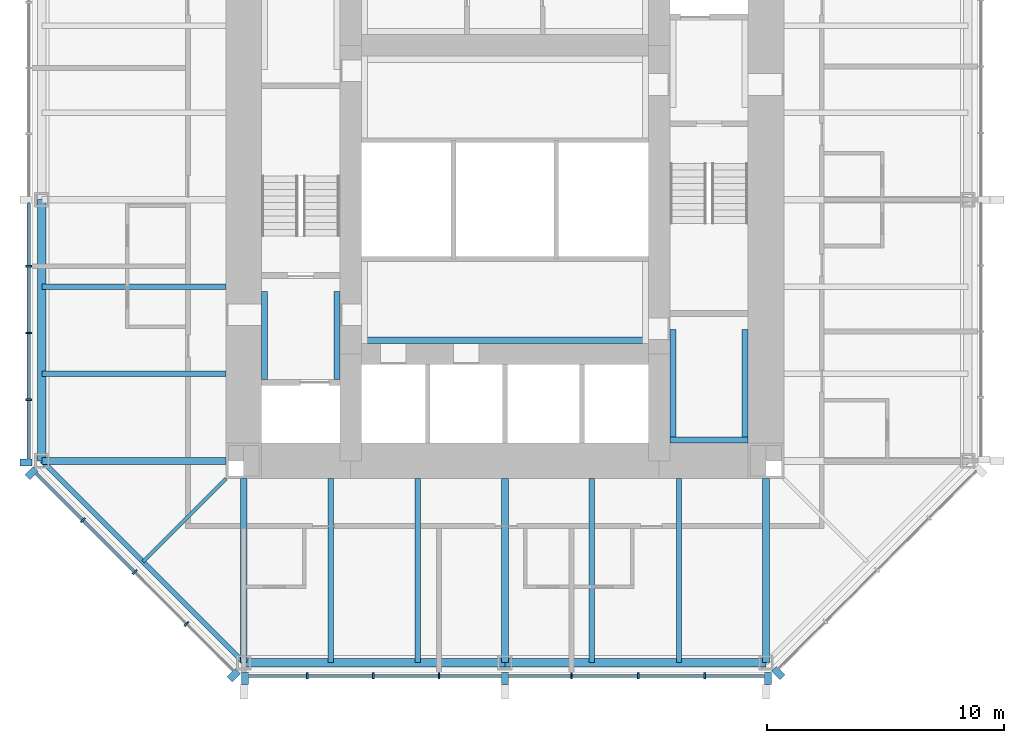
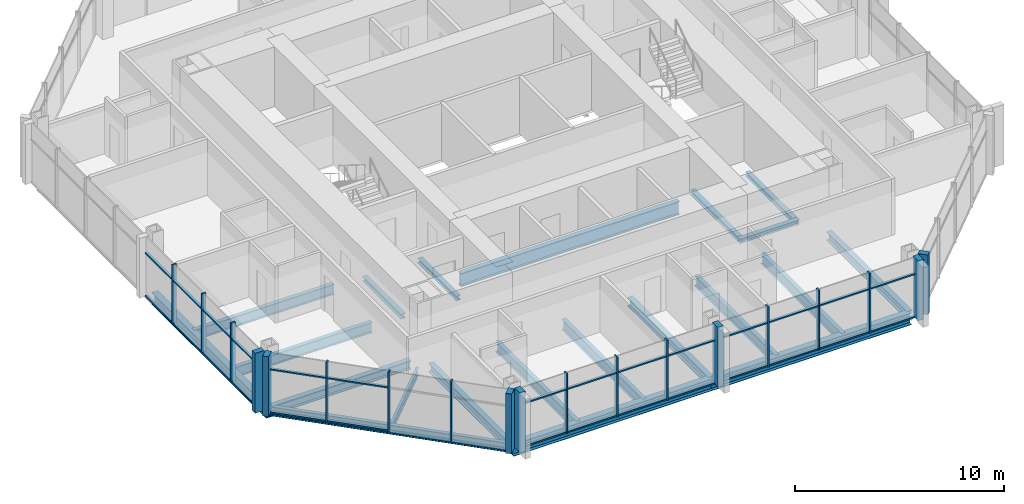
# One storey, part 2 of 11: 47 members, 21 beams, 4 elements without a shape of their own.
"""IFC4 building model written with IfcOpenShell, lengths in metres."""

from ifc_helpers import new_model, si_unit, direction, frame, origin, origin_2d, place, context, subcontext, project, spatial, rectangle, i_section, extrude, material, material_profile, profile_set, type_object, element, aggregate, save


model = new_model("IFC4")

# Units and contexts
model_context = context("Model", 3, precision=1e-05, world=origin(), true_north=direction((0.0, 1.0)))
body_context = subcontext(model_context, "Body", "Model", "MODEL_VIEW")
ifc_project = project(units=[si_unit("LENGTHUNIT", "METRE"), si_unit("AREAUNIT", "SQUARE_METRE"), si_unit("VOLUMEUNIT", "CUBIC_METRE"), si_unit("PLANEANGLEUNIT", "RADIAN"), si_unit("MASSUNIT", "GRAM", prefix="KILO")], contexts=[model_context])

# Site, building, storey
site_placement = place(None, origin())
site = spatial("IfcSite", under=ifc_project, at=site_placement, CompositionType="ELEMENT")
building_placement = place(site_placement, origin())
building = spatial("IfcBuilding", under=site, at=building_placement, Name="Trevanion Tower", CompositionType="ELEMENT")
storey_placement = place(building_placement, frame((0.0, 0.0, 218.699951171875)))
storey = spatial("IfcBuildingStorey", under=building, at=storey_placement, Name="L52", CompositionType="ELEMENT", Elevation=218.699951171875)

# Beams
ifc_material_1 = material(Name="Steel ASTM A992 Grade 50", Category="steel")
ifc_material_profile_1 = material_profile(ifc_material_1, i_section(OverallWidth=0.228271484375, OverallDepth=0.607177734375, WebThickness=0.01123046875, FlangeThickness=0.017333984375, at=origin_2d()), Name="W24X76")
ifc_profile_set_1 = profile_set([ifc_material_profile_1], Name="Steel ASTM A992 Grade 50")
beam_type_1 = type_object("IfcBeamType", Name="B11 W24X76", PredefinedType="BEAM", material=ifc_profile_set_1)
for number, where, z_axis, x_axis, name in (
    (1, (-11.75, -3.666748046875, -0.493408203125), (-1.0, 0.0, 0.0), (0.0, -1.0, 0.0), "B11 L52"),
    (2, (-11.75, -7.333251953125, -0.493408203125), (-1.0, 0.0, 0.0), (0.0, -1.0, 0.0), "B11 L52"),
    (3, (-7.333251953125, -11.75, -0.493408203125), (0.0, -1.0, 0.0), (1.0, 0.0, 0.0), "B11 L52"),
    (4, (-3.666748046875, -11.75, -0.493408203125), (0.0, -1.0, 0.0), (1.0, 0.0, 0.0), "B11 L52"),
    (5, (3.666748046875, -11.75, -0.493408203125), (0.0, -1.0, 0.0), (1.0, 0.0, 0.0), "B11 L52"),
    (6, (7.333251953125, -11.75, -0.493408203125), (0.0, -1.0, 0.0), (1.0, 0.0, 0.0), "B11 L52"),
):
    element("IfcBeam", number, at=place(storey_placement, frame(where, z_axis=z_axis, x_axis=x_axis)), inside=storey, type_object=beam_type_1, Name=name, PredefinedType="BEAM", context=body_context, shape_type="SweptSolid", body=[
        extrude(i_section(OverallWidth=0.228271484375, OverallDepth=0.607177734375, WebThickness=0.01123046875, FlangeThickness=0.017333984375, at=origin_2d()), origin(), (0.0, 0.0, 1.0), 7.75),
    ])
ifc_material_2 = material(Name="Steel ASTM A992 Grade 50", Category="steel")
ifc_material_profile_2 = material_profile(ifc_material_2, i_section(OverallWidth=0.15234375, OverallDepth=0.449462890625, WebThickness=0.007568359375, FlangeThickness=0.0107421875, at=origin_2d()), Name="W18X35")
ifc_profile_set_2 = profile_set([ifc_material_profile_2], Name="Steel ASTM A992 Grade 50")
beam_type_2 = type_object("IfcBeamType", Name="B12 W18X35", PredefinedType="BEAM", material=ifc_profile_set_2)
beam_1_placement = place(storey_placement, frame((-11.75, -11.75, -0.414794921875), z_axis=(-0.707106781187, -0.707106781187, 0.0), x_axis=(0.707106781187, -0.707106781187, 0.0)))
element("IfcBeam", 7, at=beam_1_placement, inside=storey, type_object=beam_type_2, Name="B12 L52", PredefinedType="BEAM", context=body_context, shape_type="SweptSolid", body=[
    extrude(i_section(OverallWidth=0.15234375, OverallDepth=0.449462890625, WebThickness=0.007568359375, FlangeThickness=0.0107421875, at=origin_2d()), origin(), (0.0, 0.0, 1.0), 4.94970703125),
])

# Curtain wall, members
ifc_material_3 = material(Name="Aluminium and glass", Category="aluminium")
curtain_wall_type = type_object("IfcCurtainWallType", Name="CW3 curtain wall", PredefinedType="USERDEFINED", material=ifc_material_3)
curtain_wall_1_placement = place(storey_placement, origin())
curtain_wall_1 = element("IfcCurtainWall", 8, at=curtain_wall_1_placement, inside=storey, type_object=curtain_wall_type, Name="CW3 L52 4", ObjectType="UNITISED CURTAIN WALL", PredefinedType="USERDEFINED")
ifc_material_4 = material(Name="Aluminium extrusion, anodised bronze", Category="aluminium")
ifc_material_profile_3 = material_profile(ifc_material_4, rectangle(XDim=0.074951171875, YDim=0.25, at=origin_2d()), Name="CW3 mullion")
ifc_profile_set_3 = profile_set([ifc_material_profile_3], Name="Aluminium extrusion, anodised bronze")
member_type_1 = type_object("IfcMemberType", Name="CW3 mullion", PredefinedType="MULLION", material=ifc_profile_set_3)
member_1_placement = place(storey_placement, frame((-20.050048828125, -2.806884765625, -0.18994140625), z_axis=(0.0, 0.0, 1.0), x_axis=(0.0, -1.0, 0.0)))
member_1 = element("IfcMember", 9, at=member_1_placement, type_object=member_type_1, Name="CW3 mullion 6", PredefinedType="MULLION", context=body_context, shape_type="SweptSolid", body=[
    extrude(rectangle(XDim=0.074951171875, YDim=0.25, at=origin_2d()), origin(), (0.0, 0.0, 1.0), 3.5),
])
member_2_placement = place(storey_placement, frame((-20.050048828125, -5.614013671875, -0.18994140625), z_axis=(0.0, 0.0, 1.0), x_axis=(0.0, -1.0, 0.0)))
member_2 = element("IfcMember", 10, at=member_2_placement, type_object=member_type_1, Name="CW3 mullion 7", PredefinedType="MULLION", context=body_context, shape_type="SweptSolid", body=[
    extrude(rectangle(XDim=0.074951171875, YDim=0.25, at=origin_2d()), origin(), (0.0, 0.0, 1.0), 3.5),
])
member_3_placement = place(storey_placement, frame((-20.050048828125, -8.4208984375, -0.18994140625), z_axis=(0.0, 0.0, 1.0), x_axis=(0.0, -1.0, 0.0)))
member_3 = element("IfcMember", 11, at=member_3_placement, type_object=member_type_1, Name="CW3 mullion 8", PredefinedType="MULLION", context=body_context, shape_type="SweptSolid", body=[
    extrude(rectangle(XDim=0.074951171875, YDim=0.25, at=origin_2d()), origin(), (0.0, 0.0, 1.0), 3.5),
])

curtain_wall_2_placement = place(storey_placement, origin())
curtain_wall_2 = element("IfcCurtainWall", 12, at=curtain_wall_2_placement, inside=storey, type_object=curtain_wall_type, Name="CW3 L52 5", ObjectType="UNITISED CURTAIN WALL", PredefinedType="USERDEFINED")
member_4_placement = place(storey_placement, frame((-17.775390625, -13.502197265625, -0.18994140625), z_axis=(0.0, 0.0, 1.0), x_axis=(0.707106781187, -0.707106781187, 0.0)))
member_4 = element("IfcMember", 13, at=member_4_placement, type_object=member_type_1, Name="CW3 mullion 2", PredefinedType="MULLION", context=body_context, shape_type="SweptSolid", body=[
    extrude(rectangle(XDim=0.074951171875, YDim=0.25, at=origin_2d()), origin(), (0.0, 0.0, 1.0), 3.5),
])
member_5_placement = place(storey_placement, frame((-15.593017578125, -15.684814453125, -0.18994140625), z_axis=(0.0, 0.0, 1.0), x_axis=(0.707106781187, -0.707106781187, 0.0)))
member_5 = element("IfcMember", 14, at=member_5_placement, type_object=member_type_1, Name="CW3 mullion 3", PredefinedType="MULLION", context=body_context, shape_type="SweptSolid", body=[
    extrude(rectangle(XDim=0.074951171875, YDim=0.25, at=origin_2d()), origin(), (0.0, 0.0, 1.0), 3.5),
])
member_6_placement = place(storey_placement, frame((-13.410400390625, -17.867431640625, -0.18994140625), z_axis=(0.0, 0.0, 1.0), x_axis=(0.707106781187, -0.707106781187, 0.0)))
member_6 = element("IfcMember", 15, at=member_6_placement, type_object=member_type_1, Name="CW3 mullion 4", PredefinedType="MULLION", context=body_context, shape_type="SweptSolid", body=[
    extrude(rectangle(XDim=0.074951171875, YDim=0.25, at=origin_2d()), origin(), (0.0, 0.0, 1.0), 3.5),
])

curtain_wall_3_placement = place(storey_placement, origin())
curtain_wall_3 = element("IfcCurtainWall", 16, at=curtain_wall_3_placement, inside=storey, type_object=curtain_wall_type, Name="CW3 L52 6", ObjectType="UNITISED CURTAIN WALL", PredefinedType="USERDEFINED")
member_7_placement = place(storey_placement, frame((-8.323486328125, -20.050048828125, -0.18994140625), z_axis=(0.0, 0.0, 1.0), x_axis=(1.0, 0.0, 0.0)))
member_7 = element("IfcMember", 17, at=member_7_placement, type_object=member_type_1, Name="CW3 mullion 2", PredefinedType="MULLION", context=body_context, shape_type="SweptSolid", body=[
    extrude(rectangle(XDim=0.074951171875, YDim=0.25, at=origin_2d()), origin(), (0.0, 0.0, 1.0), 3.5),
])
member_8_placement = place(storey_placement, frame((-5.548828125, -20.050048828125, -0.18994140625), z_axis=(0.0, 0.0, 1.0), x_axis=(1.0, 0.0, 0.0)))
member_8 = element("IfcMember", 18, at=member_8_placement, type_object=member_type_1, Name="CW3 mullion 3", PredefinedType="MULLION", context=body_context, shape_type="SweptSolid", body=[
    extrude(rectangle(XDim=0.074951171875, YDim=0.25, at=origin_2d()), origin(), (0.0, 0.0, 1.0), 3.5),
])
member_9_placement = place(storey_placement, frame((-2.7744140625, -20.050048828125, -0.18994140625), z_axis=(0.0, 0.0, 1.0), x_axis=(1.0, 0.0, 0.0)))
member_9 = element("IfcMember", 19, at=member_9_placement, type_object=member_type_1, Name="CW3 mullion 4", PredefinedType="MULLION", context=body_context, shape_type="SweptSolid", body=[
    extrude(rectangle(XDim=0.074951171875, YDim=0.25, at=origin_2d()), origin(), (0.0, 0.0, 1.0), 3.5),
])
member_10_placement = place(storey_placement, frame((2.806884765625, -20.050048828125, -0.18994140625), z_axis=(0.0, 0.0, 1.0), x_axis=(1.0, 0.0, 0.0)))
member_10 = element("IfcMember", 20, at=member_10_placement, type_object=member_type_1, Name="CW3 mullion 6", PredefinedType="MULLION", context=body_context, shape_type="SweptSolid", body=[
    extrude(rectangle(XDim=0.074951171875, YDim=0.25, at=origin_2d()), origin(), (0.0, 0.0, 1.0), 3.5),
])
member_11_placement = place(storey_placement, frame((5.614013671875, -20.050048828125, -0.18994140625), z_axis=(0.0, 0.0, 1.0), x_axis=(1.0, 0.0, 0.0)))
member_11 = element("IfcMember", 21, at=member_11_placement, type_object=member_type_1, Name="CW3 mullion 7", PredefinedType="MULLION", context=body_context, shape_type="SweptSolid", body=[
    extrude(rectangle(XDim=0.074951171875, YDim=0.25, at=origin_2d()), origin(), (0.0, 0.0, 1.0), 3.5),
])
member_12_placement = place(storey_placement, frame((8.4208984375, -20.050048828125, -0.18994140625), z_axis=(0.0, 0.0, 1.0), x_axis=(1.0, 0.0, 0.0)))
member_12 = element("IfcMember", 22, at=member_12_placement, type_object=member_type_1, Name="CW3 mullion 8", PredefinedType="MULLION", context=body_context, shape_type="SweptSolid", body=[
    extrude(rectangle(XDim=0.074951171875, YDim=0.25, at=origin_2d()), origin(), (0.0, 0.0, 1.0), 3.5),
])

# Member
ifc_material_5 = material(Name="Aluminium extrusion, anodised bronze", Category="aluminium")
ifc_material_profile_4 = material_profile(ifc_material_5, rectangle(XDim=0.300048828125, YDim=0.5, at=origin_2d()), Name="CW3 pier mullion")
ifc_profile_set_4 = profile_set([ifc_material_profile_4], Name="Aluminium extrusion, anodised bronze")
member_type_2 = type_object("IfcMemberType", Name="CW3 pier mullion", PredefinedType="MULLION", material=ifc_profile_set_4)
member_13_placement = place(storey_placement, frame((-20.175048828125, -11.077880859375, -0.18994140625), z_axis=(0.0, 0.0, 1.0), x_axis=(0.0, -1.0, 0.0)))
member_13 = element("IfcMember", 23, at=member_13_placement, type_object=member_type_2, Name="CW3 pier mullion 9", PredefinedType="MULLION", context=body_context, shape_type="SweptSolid", body=[
    extrude(rectangle(XDim=0.300048828125, YDim=0.5, at=origin_2d()), origin(), (0.0, 0.0, 1.0), 3.5),
])

member_14_placement = place(storey_placement, frame((-19.9404296875, -11.51416015625, -0.18994140625), z_axis=(0.0, 0.0, 1.0), x_axis=(0.707106781187, -0.707106781187, 0.0)))
member_14 = element("IfcMember", 24, at=member_14_placement, type_object=member_type_2, Name="CW3 pier mullion 1", PredefinedType="MULLION", context=body_context, shape_type="SweptSolid", body=[
    extrude(rectangle(XDim=0.300048828125, YDim=0.5, at=origin_2d()), origin(), (0.0, 0.0, 1.0), 3.5),
])

member_15_placement = place(storey_placement, frame((-11.42236328125, -20.0322265625, -0.18994140625), z_axis=(0.0, 0.0, 1.0), x_axis=(0.707106781187, -0.707106781187, 0.0)))
member_15 = element("IfcMember", 25, at=member_15_placement, type_object=member_type_2, Name="CW3 pier mullion 5", PredefinedType="MULLION", context=body_context, shape_type="SweptSolid", body=[
    extrude(rectangle(XDim=0.300048828125, YDim=0.5, at=origin_2d()), origin(), (0.0, 0.0, 1.0), 3.5),
])

member_16_placement = place(storey_placement, frame((-10.94775390625, -20.175048828125, -0.18994140625), z_axis=(0.0, 0.0, 1.0), x_axis=(1.0, 0.0, 0.0)))
member_16 = element("IfcMember", 26, at=member_16_placement, type_object=member_type_2, Name="CW3 pier mullion 1", PredefinedType="MULLION", context=body_context, shape_type="SweptSolid", body=[
    extrude(rectangle(XDim=0.300048828125, YDim=0.5, at=origin_2d()), origin(), (0.0, 0.0, 1.0), 3.5),
])

member_17_placement = place(storey_placement, frame((0.0, -20.175048828125, -0.18994140625), z_axis=(0.0, 0.0, 1.0), x_axis=(1.0, 0.0, 0.0)))
member_17 = element("IfcMember", 27, at=member_17_placement, type_object=member_type_2, Name="CW3 pier mullion 5", PredefinedType="MULLION", context=body_context, shape_type="SweptSolid", body=[
    extrude(rectangle(XDim=0.300048828125, YDim=0.5, at=origin_2d()), origin(), (0.0, 0.0, 1.0), 3.5),
])

member_18_placement = place(storey_placement, frame((11.077880859375, -20.175048828125, -0.18994140625), z_axis=(0.0, 0.0, 1.0), x_axis=(1.0, 0.0, 0.0)))
member_18 = element("IfcMember", 28, at=member_18_placement, type_object=member_type_2, Name="CW3 pier mullion 9", PredefinedType="MULLION", context=body_context, shape_type="SweptSolid", body=[
    extrude(rectangle(XDim=0.300048828125, YDim=0.5, at=origin_2d()), origin(), (0.0, 0.0, 1.0), 3.5),
])

# Curtain wall, member
curtain_wall_4_placement = place(storey_placement, origin())
curtain_wall_4 = element("IfcCurtainWall", 29, at=curtain_wall_4_placement, inside=storey, type_object=curtain_wall_type, Name="CW3 L52 7", ObjectType="UNITISED CURTAIN WALL", PredefinedType="USERDEFINED")
member_19_placement = place(storey_placement, frame((11.51416015625, -19.9404296875, -0.18994140625), z_axis=(0.0, 0.0, 1.0), x_axis=(0.707106781187, 0.707106781187, 0.0)))
member_19 = element("IfcMember", 30, at=member_19_placement, type_object=member_type_2, Name="CW3 pier mullion 1", PredefinedType="MULLION", context=body_context, shape_type="SweptSolid", body=[
    extrude(rectangle(XDim=0.300048828125, YDim=0.5, at=origin_2d()), origin(), (0.0, 0.0, 1.0), 3.5),
])
aggregate(curtain_wall_4, [member_19])

# Member
ifc_material_6 = material(Name="Aluminium extrusion, anodised bronze", Category="aluminium")
ifc_material_profile_5 = material_profile(ifc_material_6, rectangle(XDim=0.14990234375, YDim=0.074951171875, at=origin_2d()), Name="CW3 transom")
ifc_profile_set_5 = profile_set([ifc_material_profile_5], Name="Aluminium extrusion, anodised bronze")
member_type_3 = type_object("IfcMemberType", Name="CW3 transom", PredefinedType="USERDEFINED", material=ifc_profile_set_5)
member_20_placement = place(storey_placement, frame((-20.050048828125, -0.14990234375, -0.15234375), z_axis=(0.0, -1.0, 0.0), x_axis=(1.0, 0.0, 0.0)))
member_20 = element("IfcMember", 31, at=member_20_placement, type_object=member_type_3, Name="CW3 transom 5.1", ObjectType="TRANSOM", PredefinedType="USERDEFINED", context=body_context, shape_type="SweptSolid", body=[
    extrude(rectangle(XDim=0.14990234375, YDim=0.074951171875, at=origin_2d()), origin(), (0.0, 0.0, 1.0), 2.619384765625),
])

member_21_placement = place(storey_placement, frame((-20.050048828125, -0.14990234375, 2.360107421875), z_axis=(0.0, -1.0, 0.0), x_axis=(1.0, 0.0, 0.0)))
member_21 = element("IfcMember", 32, at=member_21_placement, type_object=member_type_3, Name="CW3 transom 5.2", ObjectType="TRANSOM", PredefinedType="USERDEFINED", context=body_context, shape_type="SweptSolid", body=[
    extrude(rectangle(XDim=0.14990234375, YDim=0.074951171875, at=origin_2d()), origin(), (0.0, 0.0, 1.0), 2.619384765625),
])

member_22_placement = place(storey_placement, frame((-20.050048828125, -2.844482421875, -0.15234375), z_axis=(0.0, -1.0, 0.0), x_axis=(1.0, 0.0, 0.0)))
member_22 = element("IfcMember", 33, at=member_22_placement, type_object=member_type_3, Name="CW3 transom 6.1", ObjectType="TRANSOM", PredefinedType="USERDEFINED", context=body_context, shape_type="SweptSolid", body=[
    extrude(rectangle(XDim=0.14990234375, YDim=0.074951171875, at=origin_2d()), origin(), (0.0, 0.0, 1.0), 2.73193359375),
])

member_23_placement = place(storey_placement, frame((-20.050048828125, -2.844482421875, 2.360107421875), z_axis=(0.0, -1.0, 0.0), x_axis=(1.0, 0.0, 0.0)))
member_23 = element("IfcMember", 34, at=member_23_placement, type_object=member_type_3, Name="CW3 transom 6.2", ObjectType="TRANSOM", PredefinedType="USERDEFINED", context=body_context, shape_type="SweptSolid", body=[
    extrude(rectangle(XDim=0.14990234375, YDim=0.074951171875, at=origin_2d()), origin(), (0.0, 0.0, 1.0), 2.73193359375),
])

member_24_placement = place(storey_placement, frame((-20.050048828125, -5.6513671875, -0.15234375), z_axis=(0.0, -1.0, 0.0), x_axis=(1.0, 0.0, 0.0)))
member_24 = element("IfcMember", 35, at=member_24_placement, type_object=member_type_3, Name="CW3 transom 7.1", ObjectType="TRANSOM", PredefinedType="USERDEFINED", context=body_context, shape_type="SweptSolid", body=[
    extrude(rectangle(XDim=0.14990234375, YDim=0.074951171875, at=origin_2d()), origin(), (0.0, 0.0, 1.0), 2.73193359375),
])

member_25_placement = place(storey_placement, frame((-20.050048828125, -5.6513671875, 2.360107421875), z_axis=(0.0, -1.0, 0.0), x_axis=(1.0, 0.0, 0.0)))
member_25 = element("IfcMember", 36, at=member_25_placement, type_object=member_type_3, Name="CW3 transom 7.2", ObjectType="TRANSOM", PredefinedType="USERDEFINED", context=body_context, shape_type="SweptSolid", body=[
    extrude(rectangle(XDim=0.14990234375, YDim=0.074951171875, at=origin_2d()), origin(), (0.0, 0.0, 1.0), 2.73193359375),
])

member_26_placement = place(storey_placement, frame((-20.050048828125, -8.45849609375, -0.15234375), z_axis=(0.0, -1.0, 0.0), x_axis=(1.0, 0.0, 0.0)))
member_26 = element("IfcMember", 37, at=member_26_placement, type_object=member_type_3, Name="CW3 transom 8.1", ObjectType="TRANSOM", PredefinedType="USERDEFINED", context=body_context, shape_type="SweptSolid", body=[
    extrude(rectangle(XDim=0.14990234375, YDim=0.074951171875, at=origin_2d()), origin(), (0.0, 0.0, 1.0), 2.46923828125),
])

member_27_placement = place(storey_placement, frame((-20.050048828125, -8.45849609375, 2.360107421875), z_axis=(0.0, -1.0, 0.0), x_axis=(1.0, 0.0, 0.0)))
member_27 = element("IfcMember", 38, at=member_27_placement, type_object=member_type_3, Name="CW3 transom 8.2", ObjectType="TRANSOM", PredefinedType="USERDEFINED", context=body_context, shape_type="SweptSolid", body=[
    extrude(rectangle(XDim=0.14990234375, YDim=0.074951171875, at=origin_2d()), origin(), (0.0, 0.0, 1.0), 2.46923828125),
])

aggregate(curtain_wall_1, [member_1, member_2, member_3, member_13, member_20, member_21, member_22, member_23, member_24, member_25, member_26, member_27])

member_28_placement = place(storey_placement, frame((-19.745849609375, -11.531982421875, -0.15234375), z_axis=(0.707106781187, -0.707106781187, 0.0), x_axis=(0.707106781187, 0.707106781187, 0.0)))
member_28 = element("IfcMember", 39, at=member_28_placement, type_object=member_type_3, Name="CW3 transom 1.1", ObjectType="TRANSOM", PredefinedType="USERDEFINED", context=body_context, shape_type="SweptSolid", body=[
    extrude(rectangle(XDim=0.14990234375, YDim=0.074951171875, at=origin_2d()), origin(), (0.0, 0.0, 1.0), 2.7490234375),
])

member_29_placement = place(storey_placement, frame((-19.745849609375, -11.531982421875, 2.360107421875), z_axis=(0.707106781187, -0.707106781187, 0.0), x_axis=(0.707106781187, 0.707106781187, 0.0)))
member_29 = element("IfcMember", 40, at=member_29_placement, type_object=member_type_3, Name="CW3 transom 1.2", ObjectType="TRANSOM", PredefinedType="USERDEFINED", context=body_context, shape_type="SweptSolid", body=[
    extrude(rectangle(XDim=0.14990234375, YDim=0.074951171875, at=origin_2d()), origin(), (0.0, 0.0, 1.0), 2.7490234375),
])

member_30_placement = place(storey_placement, frame((-17.7490234375, -13.52880859375, -0.15234375), z_axis=(0.707106781187, -0.707106781187, 0.0), x_axis=(0.707106781187, 0.707106781187, 0.0)))
member_30 = element("IfcMember", 41, at=member_30_placement, type_object=member_type_3, Name="CW3 transom 2.1", ObjectType="TRANSOM", PredefinedType="USERDEFINED", context=body_context, shape_type="SweptSolid", body=[
    extrude(rectangle(XDim=0.14990234375, YDim=0.074951171875, at=origin_2d()), origin(), (0.0, 0.0, 1.0), 3.01171875),
])

member_31_placement = place(storey_placement, frame((-17.7490234375, -13.52880859375, 2.360107421875), z_axis=(0.707106781187, -0.707106781187, 0.0), x_axis=(0.707106781187, 0.707106781187, 0.0)))
member_31 = element("IfcMember", 42, at=member_31_placement, type_object=member_type_3, Name="CW3 transom 2.2", ObjectType="TRANSOM", PredefinedType="USERDEFINED", context=body_context, shape_type="SweptSolid", body=[
    extrude(rectangle(XDim=0.14990234375, YDim=0.074951171875, at=origin_2d()), origin(), (0.0, 0.0, 1.0), 3.01171875),
])

aggregate(curtain_wall_2, [member_14, member_4, member_5, member_6, member_15, member_28, member_29, member_30, member_31])

member_32_placement = place(storey_placement, frame((-10.7978515625, -20.050048828125, -0.15234375), z_axis=(1.0, 0.0, 0.0), x_axis=(0.0, 1.0, 0.0)))
member_32 = element("IfcMember", 43, at=member_32_placement, type_object=member_type_3, Name="CW3 transom 1.1", ObjectType="TRANSOM", PredefinedType="USERDEFINED", context=body_context, shape_type="SweptSolid", body=[
    extrude(rectangle(XDim=0.14990234375, YDim=0.074951171875, at=origin_2d()), origin(), (0.0, 0.0, 1.0), 2.43701171875),
])

member_33_placement = place(storey_placement, frame((-10.7978515625, -20.050048828125, 2.360107421875), z_axis=(1.0, 0.0, 0.0), x_axis=(0.0, 1.0, 0.0)))
member_33 = element("IfcMember", 44, at=member_33_placement, type_object=member_type_3, Name="CW3 transom 1.2", ObjectType="TRANSOM", PredefinedType="USERDEFINED", context=body_context, shape_type="SweptSolid", body=[
    extrude(rectangle(XDim=0.14990234375, YDim=0.074951171875, at=origin_2d()), origin(), (0.0, 0.0, 1.0), 2.43701171875),
])

member_34_placement = place(storey_placement, frame((-8.285888671875, -20.050048828125, -0.15234375), z_axis=(1.0, 0.0, 0.0), x_axis=(0.0, 1.0, 0.0)))
member_34 = element("IfcMember", 45, at=member_34_placement, type_object=member_type_3, Name="CW3 transom 2.1", ObjectType="TRANSOM", PredefinedType="USERDEFINED", context=body_context, shape_type="SweptSolid", body=[
    extrude(rectangle(XDim=0.14990234375, YDim=0.074951171875, at=origin_2d()), origin(), (0.0, 0.0, 1.0), 2.699462890625),
])

member_35_placement = place(storey_placement, frame((-8.285888671875, -20.050048828125, 2.360107421875), z_axis=(1.0, 0.0, 0.0), x_axis=(0.0, 1.0, 0.0)))
member_35 = element("IfcMember", 46, at=member_35_placement, type_object=member_type_3, Name="CW3 transom 2.2", ObjectType="TRANSOM", PredefinedType="USERDEFINED", context=body_context, shape_type="SweptSolid", body=[
    extrude(rectangle(XDim=0.14990234375, YDim=0.074951171875, at=origin_2d()), origin(), (0.0, 0.0, 1.0), 2.699462890625),
])

member_36_placement = place(storey_placement, frame((-5.511474609375, -20.050048828125, -0.15234375), z_axis=(1.0, 0.0, 0.0), x_axis=(0.0, 1.0, 0.0)))
member_36 = element("IfcMember", 47, at=member_36_placement, type_object=member_type_3, Name="CW3 transom 3.1", ObjectType="TRANSOM", PredefinedType="USERDEFINED", context=body_context, shape_type="SweptSolid", body=[
    extrude(rectangle(XDim=0.14990234375, YDim=0.074951171875, at=origin_2d()), origin(), (0.0, 0.0, 1.0), 2.699462890625),
])

member_37_placement = place(storey_placement, frame((-5.511474609375, -20.050048828125, 2.360107421875), z_axis=(1.0, 0.0, 0.0), x_axis=(0.0, 1.0, 0.0)))
member_37 = element("IfcMember", 48, at=member_37_placement, type_object=member_type_3, Name="CW3 transom 3.2", ObjectType="TRANSOM", PredefinedType="USERDEFINED", context=body_context, shape_type="SweptSolid", body=[
    extrude(rectangle(XDim=0.14990234375, YDim=0.074951171875, at=origin_2d()), origin(), (0.0, 0.0, 1.0), 2.699462890625),
])

member_38_placement = place(storey_placement, frame((-2.737060546875, -20.050048828125, -0.15234375), z_axis=(1.0, 0.0, 0.0), x_axis=(0.0, 1.0, 0.0)))
member_38 = element("IfcMember", 49, at=member_38_placement, type_object=member_type_3, Name="CW3 transom 4.1", ObjectType="TRANSOM", PredefinedType="USERDEFINED", context=body_context, shape_type="SweptSolid", body=[
    extrude(rectangle(XDim=0.14990234375, YDim=0.074951171875, at=origin_2d()), origin(), (0.0, 0.0, 1.0), 2.587158203125),
])

member_39_placement = place(storey_placement, frame((-2.737060546875, -20.050048828125, 2.360107421875), z_axis=(1.0, 0.0, 0.0), x_axis=(0.0, 1.0, 0.0)))
member_39 = element("IfcMember", 50, at=member_39_placement, type_object=member_type_3, Name="CW3 transom 4.2", ObjectType="TRANSOM", PredefinedType="USERDEFINED", context=body_context, shape_type="SweptSolid", body=[
    extrude(rectangle(XDim=0.14990234375, YDim=0.074951171875, at=origin_2d()), origin(), (0.0, 0.0, 1.0), 2.587158203125),
])

member_40_placement = place(storey_placement, frame((0.14990234375, -20.050048828125, -0.15234375), z_axis=(1.0, 0.0, 0.0), x_axis=(0.0, 1.0, 0.0)))
member_40 = element("IfcMember", 51, at=member_40_placement, type_object=member_type_3, Name="CW3 transom 5.1", ObjectType="TRANSOM", PredefinedType="USERDEFINED", context=body_context, shape_type="SweptSolid", body=[
    extrude(rectangle(XDim=0.14990234375, YDim=0.074951171875, at=origin_2d()), origin(), (0.0, 0.0, 1.0), 2.619384765625),
])

member_41_placement = place(storey_placement, frame((0.14990234375, -20.050048828125, 2.360107421875), z_axis=(1.0, 0.0, 0.0), x_axis=(0.0, 1.0, 0.0)))
member_41 = element("IfcMember", 52, at=member_41_placement, type_object=member_type_3, Name="CW3 transom 5.2", ObjectType="TRANSOM", PredefinedType="USERDEFINED", context=body_context, shape_type="SweptSolid", body=[
    extrude(rectangle(XDim=0.14990234375, YDim=0.074951171875, at=origin_2d()), origin(), (0.0, 0.0, 1.0), 2.619384765625),
])

member_42_placement = place(storey_placement, frame((2.844482421875, -20.050048828125, -0.15234375), z_axis=(1.0, 0.0, 0.0), x_axis=(0.0, 1.0, 0.0)))
member_42 = element("IfcMember", 53, at=member_42_placement, type_object=member_type_3, Name="CW3 transom 6.1", ObjectType="TRANSOM", PredefinedType="USERDEFINED", context=body_context, shape_type="SweptSolid", body=[
    extrude(rectangle(XDim=0.14990234375, YDim=0.074951171875, at=origin_2d()), origin(), (0.0, 0.0, 1.0), 2.73193359375),
])

member_43_placement = place(storey_placement, frame((2.844482421875, -20.050048828125, 2.360107421875), z_axis=(1.0, 0.0, 0.0), x_axis=(0.0, 1.0, 0.0)))
member_43 = element("IfcMember", 54, at=member_43_placement, type_object=member_type_3, Name="CW3 transom 6.2", ObjectType="TRANSOM", PredefinedType="USERDEFINED", context=body_context, shape_type="SweptSolid", body=[
    extrude(rectangle(XDim=0.14990234375, YDim=0.074951171875, at=origin_2d()), origin(), (0.0, 0.0, 1.0), 2.73193359375),
])

member_44_placement = place(storey_placement, frame((5.6513671875, -20.050048828125, -0.15234375), z_axis=(1.0, 0.0, 0.0), x_axis=(0.0, 1.0, 0.0)))
member_44 = element("IfcMember", 55, at=member_44_placement, type_object=member_type_3, Name="CW3 transom 7.1", ObjectType="TRANSOM", PredefinedType="USERDEFINED", context=body_context, shape_type="SweptSolid", body=[
    extrude(rectangle(XDim=0.14990234375, YDim=0.074951171875, at=origin_2d()), origin(), (0.0, 0.0, 1.0), 2.73193359375),
])

member_45_placement = place(storey_placement, frame((5.6513671875, -20.050048828125, 2.360107421875), z_axis=(1.0, 0.0, 0.0), x_axis=(0.0, 1.0, 0.0)))
member_45 = element("IfcMember", 56, at=member_45_placement, type_object=member_type_3, Name="CW3 transom 7.2", ObjectType="TRANSOM", PredefinedType="USERDEFINED", context=body_context, shape_type="SweptSolid", body=[
    extrude(rectangle(XDim=0.14990234375, YDim=0.074951171875, at=origin_2d()), origin(), (0.0, 0.0, 1.0), 2.73193359375),
])

member_46_placement = place(storey_placement, frame((8.45849609375, -20.050048828125, -0.15234375), z_axis=(1.0, 0.0, 0.0), x_axis=(0.0, 1.0, 0.0)))
member_46 = element("IfcMember", 57, at=member_46_placement, type_object=member_type_3, Name="CW3 transom 8.1", ObjectType="TRANSOM", PredefinedType="USERDEFINED", context=body_context, shape_type="SweptSolid", body=[
    extrude(rectangle(XDim=0.14990234375, YDim=0.074951171875, at=origin_2d()), origin(), (0.0, 0.0, 1.0), 2.46923828125),
])

member_47_placement = place(storey_placement, frame((8.45849609375, -20.050048828125, 2.360107421875), z_axis=(1.0, 0.0, 0.0), x_axis=(0.0, 1.0, 0.0)))
member_47 = element("IfcMember", 58, at=member_47_placement, type_object=member_type_3, Name="CW3 transom 8.2", ObjectType="TRANSOM", PredefinedType="USERDEFINED", context=body_context, shape_type="SweptSolid", body=[
    extrude(rectangle(XDim=0.14990234375, YDim=0.074951171875, at=origin_2d()), origin(), (0.0, 0.0, 1.0), 2.46923828125),
])

aggregate(curtain_wall_3, [member_16, member_7, member_8, member_9, member_17, member_10, member_11, member_12, member_18, member_32, member_33, member_34, member_35, member_36, member_37, member_38, member_39, member_40, member_41, member_42, member_43, member_44, member_45, member_46, member_47])

# Beams
ifc_material_7 = material(Name="Steel ASTM A992 Grade 50", Category="steel")
ifc_material_profile_6 = material_profile(ifc_material_7, i_section(OverallWidth=0.28955078125, OverallDepth=0.508056640625, WebThickness=0.022705078125, FlangeThickness=0.040283203125, at=origin_2d()), Name="W18X175")
ifc_profile_set_6 = profile_set([ifc_material_profile_6], Name="Steel ASTM A992 Grade 50")
beam_type_3 = type_object("IfcBeamType", Name="G6 W18X175", PredefinedType="BEAM", material=ifc_profile_set_6)
for number, where, z_axis, x_axis, name in (
    (59, (-11.75, -11.0, -0.44384765625), (-1.0, 0.0, 0.0), (0.0, -1.0, 0.0), "G6 L52"),
    (60, (-11.0, -11.75, -0.44384765625), (0.0, -1.0, 0.0), (1.0, 0.0, 0.0), "G6 L52"),
    (61, (0.0, -11.75, -0.44384765625), (0.0, -1.0, 0.0), (1.0, 0.0, 0.0), "G6 L52"),
    (62, (11.0, -11.75, -0.44384765625), (0.0, -1.0, 0.0), (1.0, 0.0, 0.0), "G6 L52"),
):
    element("IfcBeam", number, at=place(storey_placement, frame(where, z_axis=z_axis, x_axis=x_axis)), inside=storey, type_object=beam_type_3, Name=name, PredefinedType="BEAM", context=body_context, shape_type="SweptSolid", body=[
        extrude(i_section(OverallWidth=0.28955078125, OverallDepth=0.508056640625, WebThickness=0.022705078125, FlangeThickness=0.040283203125, at=origin_2d()), origin(), (0.0, 0.0, 1.0), 7.75),
    ])
ifc_material_8 = material(Name="Steel ASTM A992 Grade 50", Category="steel")
ifc_material_profile_7 = material_profile(ifc_material_8, i_section(OverallWidth=0.256591796875, OverallDepth=0.26416015625, WebThickness=0.011962890625, FlangeThickness=0.01953125, at=origin_2d()), Name="W10X68")
ifc_profile_set_7 = profile_set([ifc_material_profile_7], Name="Steel ASTM A992 Grade 50")
beam_type_4 = type_object("IfcBeamType", Name="LB1 W10X68", PredefinedType="BEAM", material=ifc_profile_set_7)
for number, where, z_axis, x_axis, name in (
    (63, (-10.12158203125, -7.574951171875, -0.33203125), (0.0, 1.0, 0.0), (-1.0, 0.0, 0.0), "LB1 L52"),
    (64, (-7.078369140625, -7.574951171875, -0.33203125), (0.0, 1.0, 0.0), (-1.0, 0.0, 0.0), "LB1 L52"),
):
    element("IfcBeam", number, at=place(storey_placement, frame(where, z_axis=z_axis, x_axis=x_axis)), inside=storey, type_object=beam_type_4, Name=name, PredefinedType="BEAM", context=body_context, shape_type="SweptSolid", body=[
        extrude(i_section(OverallWidth=0.256591796875, OverallDepth=0.26416015625, WebThickness=0.011962890625, FlangeThickness=0.01953125, at=origin_2d()), origin(), (0.0, 0.0, 1.0), 3.699951171875),
    ])
for number, where, z_axis, x_axis, name in (
    (65, (7.078369140625, -10.25, -0.33203125), (0.0, 1.0, 0.0), (-1.0, 0.0, 0.0), "LB1 L52"),
    (66, (10.12158203125, -10.25, -0.33203125), (0.0, 1.0, 0.0), (-1.0, 0.0, 0.0), "LB1 L52"),
):
    element("IfcBeam", number, at=place(storey_placement, frame(where, z_axis=z_axis, x_axis=x_axis)), inside=storey, type_object=beam_type_4, Name=name, PredefinedType="BEAM", context=body_context, shape_type="SweptSolid", body=[
        extrude(i_section(OverallWidth=0.256591796875, OverallDepth=0.26416015625, WebThickness=0.011962890625, FlangeThickness=0.01953125, at=origin_2d()), origin(), (0.0, 0.0, 1.0), 4.77490234375),
    ])
beam_2_placement = place(storey_placement, frame((6.949951171875, -10.12158203125, -0.33203125), z_axis=(1.0, 0.0, 0.0), x_axis=(0.0, 1.0, 0.0)))
element("IfcBeam", 67, at=beam_2_placement, inside=storey, type_object=beam_type_4, Name="LB1 L52", PredefinedType="BEAM", context=body_context, shape_type="SweptSolid", body=[
    extrude(i_section(OverallWidth=0.256591796875, OverallDepth=0.26416015625, WebThickness=0.011962890625, FlangeThickness=0.01953125, at=origin_2d()), origin(), (0.0, 0.0, 1.0), 3.300048828125),
])
ifc_material_9 = material(Name="Steel ASTM A992 Grade 50", Category="steel")
ifc_material_profile_8 = material_profile(ifc_material_9, i_section(OverallWidth=0.2666015625, OverallDepth=0.76953125, WebThickness=0.015625, FlangeThickness=0.025390625, at=origin_2d()), Name="W30X132")
ifc_profile_set_8 = profile_set([ifc_material_profile_8], Name="Steel ASTM A992 Grade 50")
beam_type_5 = type_object("IfcBeamType", Name="LB3 W30X132", PredefinedType="BEAM", material=ifc_profile_set_8)
beam_3_placement = place(storey_placement, frame((-6.050048828125, -5.91650390625, -0.584716796875), z_axis=(1.0, 0.0, 0.0), x_axis=(0.0, 1.0, 0.0)))
element("IfcBeam", 68, at=beam_3_placement, inside=storey, type_object=beam_type_5, Name="LB3 L52", PredefinedType="BEAM", context=body_context, shape_type="SweptSolid", body=[
    extrude(i_section(OverallWidth=0.2666015625, OverallDepth=0.76953125, WebThickness=0.015625, FlangeThickness=0.025390625, at=origin_2d()), origin(), (0.0, 0.0, 1.0), 12.10009765625),
])
ifc_material_10 = material(Name="Steel ASTM A992 Grade 50", Category="steel")
ifc_material_profile_9 = material_profile(ifc_material_10, i_section(OverallWidth=0.355712890625, OverallDepth=0.696044921875, WebThickness=0.015380859375, FlangeThickness=0.024658203125, at=origin_2d()), Name="W27X146")
ifc_profile_set_9 = profile_set([ifc_material_profile_9], Name="Steel ASTM A992 Grade 50")
beam_type_6 = type_object("IfcBeamType", Name="SB8 W27X146", PredefinedType="SPANDREL", material=ifc_profile_set_9)
for number, where, z_axis, x_axis, name in (
    (69, (-19.5, 0.0, -0.537841796875), (0.0, -1.0, 0.0), (1.0, 0.0, 0.0), "SB8 L52"),
    (70, (-11.0, -19.5, -0.537841796875), (1.0, 0.0, 0.0), (0.0, 1.0, 0.0), "SB8 L52"),
    (71, (0.0, -19.5, -0.537841796875), (1.0, 0.0, 0.0), (0.0, 1.0, 0.0), "SB8 L52"),
):
    element("IfcBeam", number, at=place(storey_placement, frame(where, z_axis=z_axis, x_axis=x_axis)), inside=storey, type_object=beam_type_6, Name=name, PredefinedType="SPANDREL", context=body_context, shape_type="SweptSolid", body=[
        extrude(i_section(OverallWidth=0.355712890625, OverallDepth=0.696044921875, WebThickness=0.015380859375, FlangeThickness=0.024658203125, at=origin_2d()), origin(), (0.0, 0.0, 1.0), 11.0),
    ])
ifc_material_11 = material(Name="Steel ASTM A992 Grade 50", Category="steel")
ifc_material_profile_10 = material_profile(ifc_material_11, i_section(OverallWidth=0.209228515625, OverallDepth=0.533447265625, WebThickness=0.01025390625, FlangeThickness=0.015625, at=origin_2d()), Name="W21X62")
ifc_profile_set_10 = profile_set([ifc_material_profile_10], Name="Steel ASTM A992 Grade 50")
beam_type_7 = type_object("IfcBeamType", Name="SB9 W21X62", PredefinedType="SPANDREL", material=ifc_profile_set_10)
beam_4_placement = place(storey_placement, frame((-19.5, -11.0, -0.45654296875), z_axis=(0.707106781187, -0.707106781187, 0.0), x_axis=(0.707106781187, 0.707106781187, 0.0)))
element("IfcBeam", 72, at=beam_4_placement, inside=storey, type_object=beam_type_7, Name="SB9 L52", PredefinedType="SPANDREL", context=body_context, shape_type="SweptSolid", body=[
    extrude(i_section(OverallWidth=0.209228515625, OverallDepth=0.533447265625, WebThickness=0.01025390625, FlangeThickness=0.015625, at=origin_2d()), origin(), (0.0, 0.0, 1.0), 12.020751953125),
])

save(model, "model.ifc")
